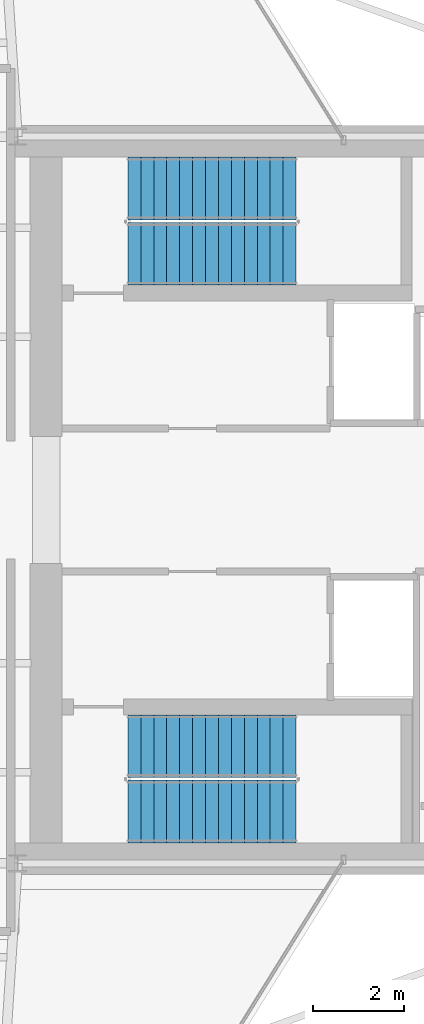
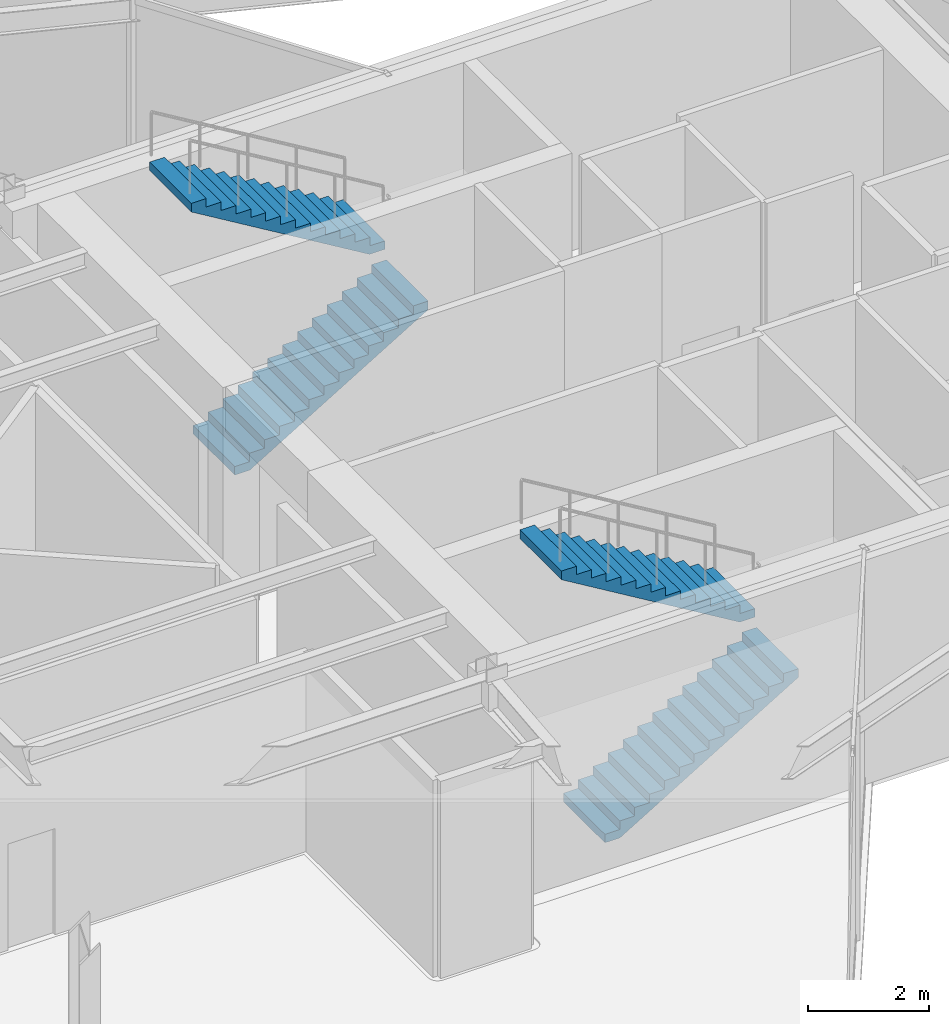
# One storey, part 11 of 14: 4 stair flights, 2 elements without a shape of their own.
"""IFC4 building model written with IfcOpenShell, lengths in metres."""

from ifc_helpers import new_model, si_unit, direction, frame, origin, place, context, subcontext, project, spatial, polyline, outline, extrude, material, type_object, element, aggregate, save


model = new_model("IFC4")

# Units and contexts
model_context = context("Model", 3, precision=1e-05, world=origin(), true_north=direction((0.0, 1.0)))
body_context = subcontext(model_context, "Body", "Model", "MODEL_VIEW")
ifc_project = project(units=[si_unit("LENGTHUNIT", "METRE"), si_unit("AREAUNIT", "SQUARE_METRE"), si_unit("VOLUMEUNIT", "CUBIC_METRE"), si_unit("PLANEANGLEUNIT", "RADIAN"), si_unit("MASSUNIT", "GRAM", prefix="KILO")], contexts=[model_context])

# Site, building, storey
site_placement = place(None, origin())
site = spatial("IfcSite", under=ifc_project, at=site_placement, CompositionType="ELEMENT")
building_placement = place(site_placement, origin())
building = spatial("IfcBuilding", under=site, at=building_placement, Name="Veymaron Broadcast Tower", CompositionType="ELEMENT")
storey_placement = place(building_placement, frame((0.0, 0.0, 187.050048828125)))
storey = spatial("IfcBuildingStorey", under=building, at=storey_placement, Name="L43", CompositionType="ELEMENT", Elevation=187.050048828125)

# Stair, stair flights
ifc_material_1 = material(Name="Concrete C50/60", Category="concrete")
stair_type_1 = type_object("IfcStairType", Name="STAIR-CORE-1", PredefinedType="HALF_TURN_STAIR", material=ifc_material_1)
stair_1_placement = place(storey_placement, origin())
stair_1 = element("IfcStair", 1, at=stair_1_placement, inside=storey, type_object=stair_type_1, Name="L43 North protected dog-leg exit stair ST1", PredefinedType="HALF_TURN_STAIR")
ifc_material_2 = material(Name="Precast concrete C50/60", Category="concrete")
stair_flight_type = type_object("IfcStairFlightType", Name="FLT-CORE-RC", PredefinedType="STRAIGHT", material=ifc_material_2)
stair_flight_1_placement = place(storey_placement, frame((41.429931640625, 29.419921875, 0.0), z_axis=(0.0, 0.0, 1.0), x_axis=(1.0, 0.0, 0.0)))
stair_flight_1 = element("IfcStairFlight", 2, at=stair_flight_1_placement, type_object=stair_flight_type, Name="ST1 flight 1", NumberOfRisers=14, NumberOfTreads=13, PredefinedType="STRAIGHT", RiserHeight=0.171428571, TreadLength=0.285, context=body_context, shape_type="SweptSolid", body=[
    extrude(outline(polyline([(0.0, 0.0), (0.0, 0.17138671875), (0.284912109375, 0.17138671875), (0.284912109375, 0.3427734375), (0.570068359375, 0.3427734375), (0.570068359375, 0.514404296875), (0.85498046875, 0.514404296875), (0.85498046875, 0.685791015625), (1.139892578125, 0.685791015625), (1.139892578125, 0.857177734375), (1.425048828125, 0.857177734375), (1.425048828125, 1.028564453125), (1.7099609375, 1.028564453125), (1.7099609375, 1.199951171875), (1.9951171875, 1.199951171875), (1.9951171875, 1.371337890625), (2.280029296875, 1.371337890625), (2.280029296875, 1.54296875), (2.56494140625, 1.54296875), (2.56494140625, 1.71435546875), (2.85009765625, 1.71435546875), (2.85009765625, 1.8857421875), (3.135009765625, 1.8857421875), (3.135009765625, 2.05712890625), (3.419921875, 2.05712890625), (3.419921875, 2.228515625), (3.705078125, 2.228515625), (3.705078125, 2.39990234375), (3.705078125, 2.0537109375), (0.290771484375, 0.0), (0.0, 0.0)])), frame((0.0, 0.68994140625, 0.0), z_axis=(0.0, -1.0, 0.0), x_axis=(1.0, 0.0, 0.0)), (0.0, 0.0, 1.0), 1.3798828125),
])
stair_flight_2_placement = place(storey_placement, frame((45.135009765625, 30.860107421875, 2.39990234375), z_axis=(0.0, 0.0, 1.0), x_axis=(-1.0, 0.0, 0.0)))
stair_flight_2 = element("IfcStairFlight", 3, at=stair_flight_2_placement, type_object=stair_flight_type, Name="ST1 flight 2", NumberOfRisers=14, NumberOfTreads=13, PredefinedType="STRAIGHT", RiserHeight=0.171428571, TreadLength=0.285, context=body_context, shape_type="SweptSolid", body=[
    extrude(outline(polyline([(0.0, 0.0), (0.0, 0.17138671875), (0.284912109375, 0.17138671875), (0.284912109375, 0.3427734375), (0.570068359375, 0.3427734375), (0.570068359375, 0.514404296875), (0.85498046875, 0.514404296875), (0.85498046875, 0.685791015625), (1.139892578125, 0.685791015625), (1.139892578125, 0.857177734375), (1.425048828125, 0.857177734375), (1.425048828125, 1.028564453125), (1.7099609375, 1.028564453125), (1.7099609375, 1.199951171875), (1.9951171875, 1.199951171875), (1.9951171875, 1.371337890625), (2.280029296875, 1.371337890625), (2.280029296875, 1.54296875), (2.56494140625, 1.54296875), (2.56494140625, 1.71435546875), (2.85009765625, 1.71435546875), (2.85009765625, 1.8857421875), (3.135009765625, 1.8857421875), (3.135009765625, 2.05712890625), (3.419921875, 2.05712890625), (3.419921875, 2.228515625), (3.705078125, 2.228515625), (3.705078125, 2.39990234375), (3.705078125, 2.0537109375), (0.290771484375, 0.0), (0.0, 0.0)])), frame((0.0, 0.68994140625, 0.0), z_axis=(0.0, -1.0, 0.0), x_axis=(1.0, 0.0, 0.0)), (0.0, 0.0, 1.0), 1.3798828125),
])
aggregate(stair_1, [stair_flight_1, stair_flight_2])

stair_type_2 = type_object("IfcStairType", Name="STAIR-CORE-2", PredefinedType="HALF_TURN_STAIR", material=ifc_material_1)
stair_2_placement = place(storey_placement, origin())
stair_2 = element("IfcStair", 4, at=stair_2_placement, inside=storey, type_object=stair_type_2, Name="L43 South protected dog-leg exit stair ST2", PredefinedType="HALF_TURN_STAIR")
stair_flight_3_placement = place(storey_placement, frame((41.429931640625, 17.139892578125, 0.0), z_axis=(0.0, 0.0, 1.0), x_axis=(1.0, 0.0, 0.0)))
stair_flight_3 = element("IfcStairFlight", 5, at=stair_flight_3_placement, type_object=stair_flight_type, Name="ST2 flight 1", NumberOfRisers=14, NumberOfTreads=13, PredefinedType="STRAIGHT", RiserHeight=0.171428571, TreadLength=0.285, context=body_context, shape_type="SweptSolid", body=[
    extrude(outline(polyline([(0.0, 0.0), (0.0, 0.17138671875), (0.284912109375, 0.17138671875), (0.284912109375, 0.3427734375), (0.570068359375, 0.3427734375), (0.570068359375, 0.514404296875), (0.85498046875, 0.514404296875), (0.85498046875, 0.685791015625), (1.139892578125, 0.685791015625), (1.139892578125, 0.857177734375), (1.425048828125, 0.857177734375), (1.425048828125, 1.028564453125), (1.7099609375, 1.028564453125), (1.7099609375, 1.199951171875), (1.9951171875, 1.199951171875), (1.9951171875, 1.371337890625), (2.280029296875, 1.371337890625), (2.280029296875, 1.54296875), (2.56494140625, 1.54296875), (2.56494140625, 1.71435546875), (2.85009765625, 1.71435546875), (2.85009765625, 1.8857421875), (3.135009765625, 1.8857421875), (3.135009765625, 2.05712890625), (3.419921875, 2.05712890625), (3.419921875, 2.228515625), (3.705078125, 2.228515625), (3.705078125, 2.39990234375), (3.705078125, 2.0537109375), (0.290771484375, 0.0), (0.0, 0.0)])), frame((0.0, 0.68994140625, 0.0), z_axis=(0.0, -1.0, 0.0), x_axis=(1.0, 0.0, 0.0)), (0.0, 0.0, 1.0), 1.3798828125),
])
stair_flight_4_placement = place(storey_placement, frame((45.135009765625, 18.580078125, 2.39990234375), z_axis=(0.0, 0.0, 1.0), x_axis=(-1.0, 0.0, 0.0)))
stair_flight_4 = element("IfcStairFlight", 6, at=stair_flight_4_placement, type_object=stair_flight_type, Name="ST2 flight 2", NumberOfRisers=14, NumberOfTreads=13, PredefinedType="STRAIGHT", RiserHeight=0.171428571, TreadLength=0.285, context=body_context, shape_type="SweptSolid", body=[
    extrude(outline(polyline([(0.0, 0.0), (0.0, 0.17138671875), (0.284912109375, 0.17138671875), (0.284912109375, 0.3427734375), (0.570068359375, 0.3427734375), (0.570068359375, 0.514404296875), (0.85498046875, 0.514404296875), (0.85498046875, 0.685791015625), (1.139892578125, 0.685791015625), (1.139892578125, 0.857177734375), (1.425048828125, 0.857177734375), (1.425048828125, 1.028564453125), (1.7099609375, 1.028564453125), (1.7099609375, 1.199951171875), (1.9951171875, 1.199951171875), (1.9951171875, 1.371337890625), (2.280029296875, 1.371337890625), (2.280029296875, 1.54296875), (2.56494140625, 1.54296875), (2.56494140625, 1.71435546875), (2.85009765625, 1.71435546875), (2.85009765625, 1.8857421875), (3.135009765625, 1.8857421875), (3.135009765625, 2.05712890625), (3.419921875, 2.05712890625), (3.419921875, 2.228515625), (3.705078125, 2.228515625), (3.705078125, 2.39990234375), (3.705078125, 2.0537109375), (0.290771484375, 0.0), (0.0, 0.0)])), frame((0.0, 0.68994140625, 0.0), z_axis=(0.0, -1.0, 0.0), x_axis=(1.0, 0.0, 0.0)), (0.0, 0.0, 1.0), 1.3798828125),
])
aggregate(stair_2, [stair_flight_3, stair_flight_4])

save(model, "model.ifc")
